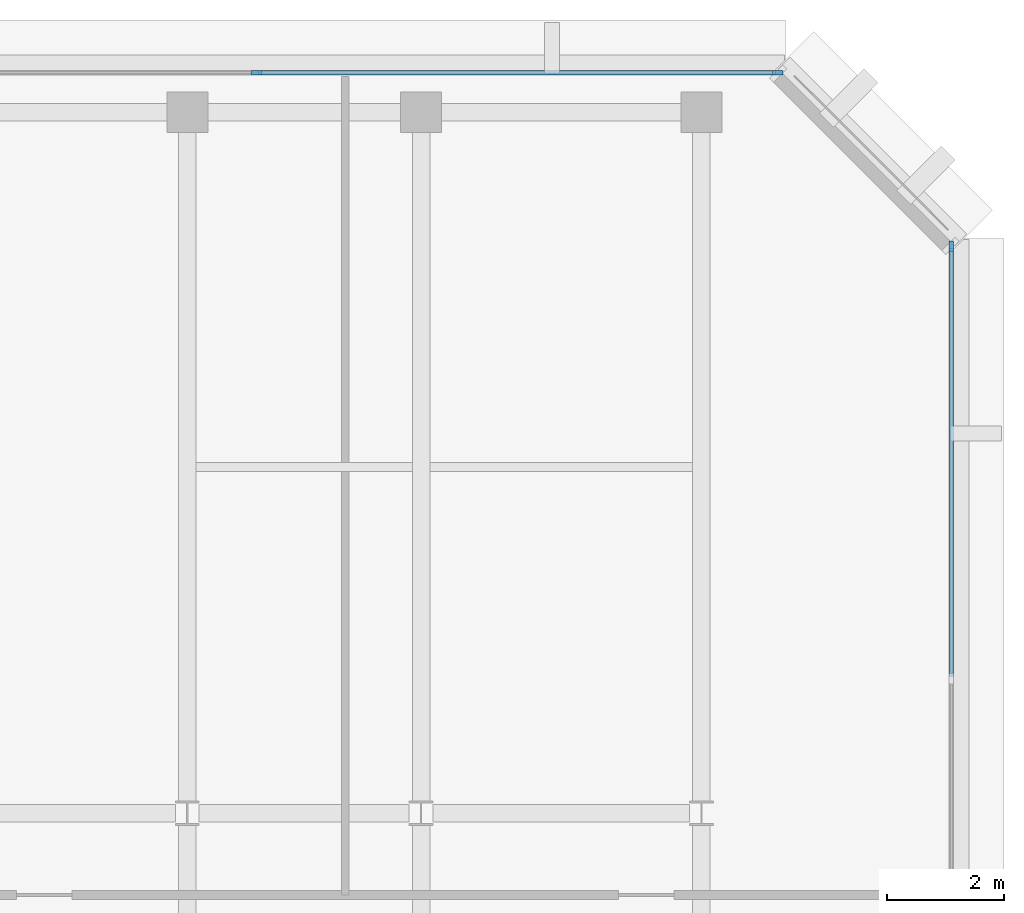
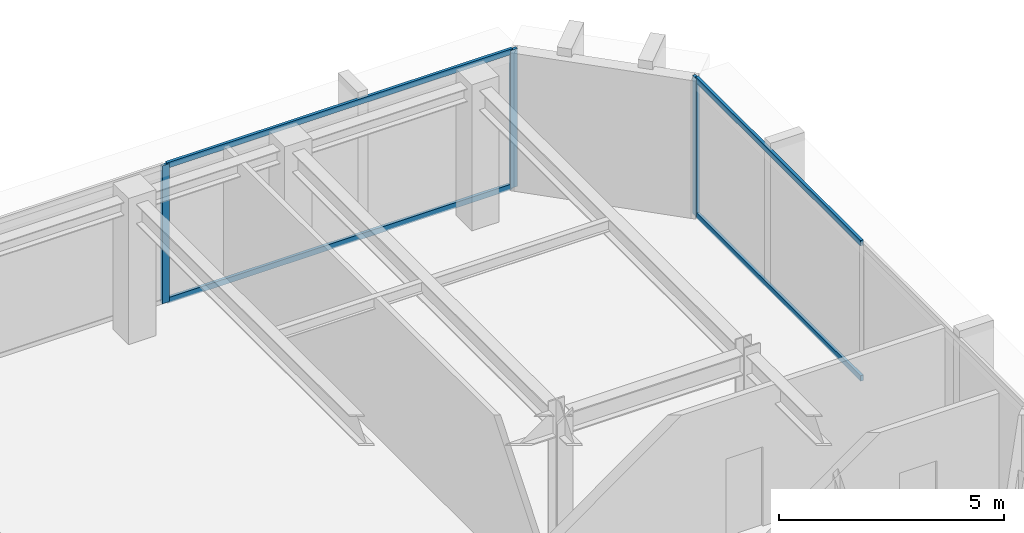
# One storey, part 5 of 12: 7 members, 2 elements without a shape of their own.
"""IFC4 building model written with IfcOpenShell, lengths in metres."""

import ifcopenshell
import ifcopenshell.guid

model = None  # the IFC model being written
_history = None  # IfcOwnerHistory: only IFC2X3 demands one
_inside = {}  # id of a spatial element -> (the spatial element, [elements in it])
_under = {}  # id of a project, library or spatial element -> (it, [spatial elements below it])
_declared = {}  # id of a project -> (the project, [libraries it declares])
_typed = {}  # id of a type object -> (the type object, [elements of that type])
_made_of = {}  # id of a material, layer set ... -> (it, [elements and type objects made of it])


def new_model(schema):
    """Start an empty IFC model of exactly this schema.

    Asked for "IFC4X3", IfcOpenShell would pick the latest addendum, in which some entities
    have other attributes; the version numbers below select the first issue.
    IFC2X3 requires an IfcOwnerHistory on every rooted entity: one is made here for all.
    """
    global model, _history
    if schema == "IFC4X3":
        model = ifcopenshell.file(schema_version=(4, 3, 0, 0))
    else:
        model = ifcopenshell.file(schema=schema)
    _inside.clear()
    _under.clear()
    _declared.clear()
    _typed.clear()
    _made_of.clear()
    _history = None
    if model.schema == "IFC2X3":
        org = make("IfcOrganization", Name="unknown")
        user = make(
            "IfcPersonAndOrganization",
            ThePerson=make("IfcPerson", FamilyName="unknown"),
            TheOrganization=org,
        )
        app = make(
            "IfcApplication",
            ApplicationDeveloper=org,
            Version="unknown",
            ApplicationFullName="unknown",
            ApplicationIdentifier="unknown",
        )
        _history = make(
            "IfcOwnerHistory",
            OwningUser=user,
            OwningApplication=app,
            ChangeAction="ADDED",
            CreationDate=0,
        )
    return model


def make(cls, **values):
    """One entity of the class cls with the attributes given. An attribute that is None is left unset."""
    return model.create_entity(
        cls, **{name: value for name, value in values.items() if value is not None}
    )


def rooted(cls, **values):
    """An entity with a GlobalId (a new one), such as an element, a storey or a relation."""
    return make(cls, GlobalId=ifcopenshell.guid.new(), OwnerHistory=_history, **values)


def si_unit(unit_type, name, prefix=None):
    """IfcSIUnit, for example si_unit("LENGTHUNIT", "METRE", prefix="MILLI")."""
    return make("IfcSIUnit", UnitType=unit_type, Prefix=prefix, Name=name)


def assignment(units):
    """IfcUnitAssignment: the units of a project."""
    return None if units is None else make("IfcUnitAssignment", Units=units)


def point(xyz):
    """IfcCartesianPoint."""
    return None if xyz is None else make("IfcCartesianPoint", Coordinates=xyz)


def direction(xyz):
    """IfcDirection."""
    return None if xyz is None else make("IfcDirection", DirectionRatios=xyz)


def frame(location, z_axis=None, x_axis=None):
    """IfcAxis2Placement3D, a coordinate frame: its origin and axes. An axis left out is left unset."""
    return make(
        "IfcAxis2Placement3D",
        Location=point(location),
        Axis=direction(z_axis),
        RefDirection=direction(x_axis),
    )


def frame_2d(location, x_axis=None):
    """IfcAxis2Placement2D, a coordinate frame in the plane: its origin and x axis."""
    return make(
        "IfcAxis2Placement2D", Location=point(location), RefDirection=direction(x_axis)
    )


def origin():
    """The frame at (0, 0, 0) with its axes left unset."""
    return frame((0.0, 0.0, 0.0))


def origin_2d():
    """The frame at (0, 0) in the plane with its x axis left unset."""
    return frame_2d((0.0, 0.0))


def place(relative_to, where):
    """IfcLocalPlacement: puts the frame where relative to a parent placement (None: the world)."""
    return make(
        "IfcLocalPlacement", PlacementRelTo=relative_to, RelativePlacement=where
    )


def context(
    kind, dimensions, precision=None, world=None, true_north=None, identifier=None
):
    """IfcGeometricRepresentationContext, for example the 3D "Model" context."""
    return make(
        "IfcGeometricRepresentationContext",
        ContextIdentifier=identifier,
        ContextType=kind,
        CoordinateSpaceDimension=dimensions,
        Precision=precision,
        WorldCoordinateSystem=world,
        TrueNorth=true_north,
    )


def subcontext(parent, identifier, kind, view, scale=None):
    """IfcGeometricRepresentationSubContext, for example "Body" below "Model"."""
    return make(
        "IfcGeometricRepresentationSubContext",
        ContextIdentifier=identifier,
        ContextType=kind,
        ParentContext=parent,
        TargetScale=scale,
        TargetView=view,
    )


def project(units=None, contexts=None):
    """IfcProject with its units and contexts."""
    return rooted(
        "IfcProject",
        Name="project",
        RepresentationContexts=contexts,
        UnitsInContext=assignment(units),
    )


def spatial(cls, under=None, at=None, **own):
    """A site, building, storey or space (cls), placed at a placement, below another one or the project."""
    s = rooted(cls, ObjectPlacement=at, **own)
    if under is not None:
        _under.setdefault(under.id(), (under, []))[1].append(s)
    return s


def profile(cls, at=None, kind="AREA", **sizes):
    """A parametric profile (cls). Its sizes go by their IFC names, for example OverallWidth=200.0."""
    return make(cls, ProfileType=kind, Position=at, **sizes)


def rectangle(**sizes):
    """IfcRectangleProfileDef."""
    return profile("IfcRectangleProfileDef", **sizes)


def extrude(swept, where, along, depth):
    """IfcExtrudedAreaSolid: the profile swept, set in the frame where, extruded along a direction by depth."""
    return make(
        "IfcExtrudedAreaSolid",
        SweptArea=swept,
        Position=where,
        ExtrudedDirection=direction(along),
        Depth=depth,
    )


def shape(context_of_items, identifier, shape_type, items):
    """IfcShapeRepresentation: the items that make up one representation, for example the "Body"."""
    return make(
        "IfcShapeRepresentation",
        ContextOfItems=context_of_items,
        RepresentationIdentifier=identifier,
        RepresentationType=shape_type,
        Items=items,
    )


def material(Name=None, Category=None):
    """IfcMaterial."""
    return make("IfcMaterial", Name=Name, Category=Category)


def layer(
    of_material, thickness, ventilated=None, Name=None, Category=None, Priority=None
):
    """IfcMaterialLayer: one layer of a wall or slab, of a material (None: an air gap)."""
    return make(
        "IfcMaterialLayer",
        Material=of_material,
        LayerThickness=thickness,
        IsVentilated=ventilated,
        Name=Name,
        Category=Category,
        Priority=Priority,
    )


def layer_set(layers, Name=None):
    """IfcMaterialLayerSet."""
    return make("IfcMaterialLayerSet", MaterialLayers=layers, LayerSetName=Name)


def material_profile(
    of_material, cross_section, Name=None, Category=None, Priority=None
):
    """IfcMaterialProfile: a cross section and its material."""
    return make(
        "IfcMaterialProfile",
        Name=Name,
        Material=of_material,
        Profile=cross_section,
        Priority=Priority,
        Category=Category,
    )


def profile_set(profiles, Name=None, composite=None):
    """IfcMaterialProfileSet."""
    return make(
        "IfcMaterialProfileSet",
        Name=Name,
        MaterialProfiles=profiles,
        CompositeProfile=composite,
    )


def made_of(thing, what):
    """Note that an element or type object is made of a material, layer set ...; save() writes the relation."""
    if what is not None:
        _made_of.setdefault(what.id(), (what, []))[1].append(thing)
    return thing


def type_object(cls, material=None, **own):
    """A type object (cls), such as IfcWallType, which elements share."""
    return made_of(rooted(cls, **own), material)


def element(
    cls,
    number,
    at=None,
    inside=None,
    cuts=None,
    type_object=None,
    material=None,
    context=None,
    identifier="Body",
    shape_type=None,
    held_by="IfcProductDefinitionShape",
    body=None,
    shapes=None,
    **own,
):
    """One element of the class cls, such as IfcWall. Its Tag is "e" and its number.

    at: its placement. inside: the storey or other place that contains it. cuts: it is an
    opening in that element (IfcRelVoidsElement). A single representation is given by context,
    identifier, shape_type and body (its items); several are given by shapes. held_by: the class
    of the entity that holds the representations. save() writes the other relations.
    """
    e = rooted(cls, Tag="e%d" % number, ObjectPlacement=at, **own)
    if body is not None:
        shapes = [shape(context, identifier, shape_type, body)]
    if shapes is not None:
        e.Representation = make(held_by, Representations=shapes)
    if inside is not None:
        _inside.setdefault(inside.id(), (inside, []))[1].append(e)
    if cuts is not None:
        rooted(
            "IfcRelVoidsElement", RelatingBuildingElement=cuts, RelatedOpeningElement=e
        )
    if type_object is not None:
        _typed.setdefault(type_object.id(), (type_object, []))[1].append(e)
    return made_of(e, material)


def aggregate(whole, parts):
    """IfcRelAggregates: a whole, such as a stair, and the parts it consists of."""
    return rooted("IfcRelAggregates", RelatingObject=whole, RelatedObjects=parts)


def save(model, path):
    """Write the relations noted so far, then the file.

    IfcRelAggregates (storeys below a building ...), IfcRelContainedInSpatialStructure (elements
    in a storey), IfcRelDefinesByType, IfcRelAssociatesMaterial and IfcRelDeclares: one each for
    every whole, place, type object, material and project.
    """
    for whole, parts in _under.values():
        aggregate(whole, parts)
    for where, things in _inside.values():
        rooted(
            "IfcRelContainedInSpatialStructure",
            RelatedElements=things,
            RelatingStructure=where,
        )
    for kind, things in _typed.values():
        rooted("IfcRelDefinesByType", RelatedObjects=things, RelatingType=kind)
    for what, things in _made_of.values():
        rooted("IfcRelAssociatesMaterial", RelatedObjects=things, RelatingMaterial=what)
    for by, libraries in _declared.values():
        rooted("IfcRelDeclares", RelatingContext=by, RelatedDefinitions=libraries)
    model.write(path)


model = new_model("IFC4")

# Units and contexts
model_context = context("Model", 3, precision=1e-05, world=origin(), true_north=direction((0.0, 1.0)))
body_context = subcontext(model_context, "Body", "Model", "MODEL_VIEW")
ifc_project = project(units=[si_unit("LENGTHUNIT", "METRE"), si_unit("AREAUNIT", "SQUARE_METRE"), si_unit("VOLUMEUNIT", "CUBIC_METRE"), si_unit("PLANEANGLEUNIT", "RADIAN"), si_unit("MASSUNIT", "GRAM", prefix="KILO")], contexts=[model_context])

# Site, building, storey
site_placement = place(None, origin())
site = spatial("IfcSite", under=ifc_project, at=site_placement, CompositionType="ELEMENT")
building_placement = place(site_placement, origin())
building = spatial("IfcBuilding", under=site, at=building_placement, Name="Kefirva Bronze Tower", CompositionType="ELEMENT")
storey_placement = place(building_placement, frame((0.0, 0.0, 280.169921875)))
storey = spatial("IfcBuildingStorey", under=building, at=storey_placement, Name="L68", CompositionType="ELEMENT", Elevation=280.169921875)

# Curtain wall, member
ifc_material = material(Name="Bronze anodised aluminium", Category="aluminium")
ifc_layer = layer(ifc_material, 0.179931640625, Name="Bronze anodised aluminium")
ifc_layer_set = layer_set([ifc_layer], Name="Bronze anodised aluminium")
curtain_wall_type = type_object("IfcCurtainWallType", Name="Unitised Bronze Ribbon Curtain Wall Zone 4", PredefinedType="USERDEFINED", material=ifc_layer_set)
curtain_wall_1_placement = place(storey_placement, origin())
curtain_wall_1 = element("IfcCurtainWall", 1, at=curtain_wall_1_placement, inside=storey, type_object=curtain_wall_type, Name="L68 Curtain Wall 2", ObjectType="UNITISED CURTAIN WALL", PredefinedType="USERDEFINED")
ifc_material_profile_1 = material_profile(ifc_material, rectangle(XDim=0.074951171875, YDim=0.179931640625, at=origin_2d()), Name="ALU 75x180")
ifc_profile_set_1 = profile_set([ifc_material_profile_1], Name="Bronze anodised aluminium")
member_type_1 = type_object("IfcMemberType", Name="Bronze Mullion 75x180", PredefinedType="MULLION", material=ifc_profile_set_1)
member_1_placement = place(storey_placement, frame((44.280029296875, 42.907470703125, 0.0), z_axis=(0.0, 0.0, 1.0), x_axis=(-1.0, 0.0, 0.0)))
member_1 = element("IfcMember", 2, at=member_1_placement, type_object=member_type_1, Name="CW-04 mullion 3", PredefinedType="MULLION", context=body_context, shape_type="SweptSolid", body=[
    extrude(rectangle(XDim=0.074951171875, YDim=0.179931640625, at=origin_2d()), origin(), (0.0, 0.0, 1.0), 3.739990234375),
])

# Curtain wall, members
curtain_wall_2_placement = place(storey_placement, origin())
curtain_wall_2 = element("IfcCurtainWall", 3, at=curtain_wall_2_placement, inside=storey, type_object=curtain_wall_type, Name="L68 Curtain Wall 3", ObjectType="UNITISED CURTAIN WALL", PredefinedType="USERDEFINED")
member_2_placement = place(storey_placement, frame((41.3076171875, 45.8798828125, 0.0), z_axis=(0.0, 0.0, 1.0), x_axis=(0.0, -1.0, 0.0)))
member_2 = element("IfcMember", 4, at=member_2_placement, type_object=member_type_1, Name="CW-04 mullion 1", PredefinedType="MULLION", context=body_context, shape_type="SweptSolid", body=[
    extrude(rectangle(XDim=0.074951171875, YDim=0.179931640625, at=origin_2d()), origin(), (0.0, 0.0, 1.0), 3.739990234375),
])
member_3_placement = place(storey_placement, frame((32.375, 45.8798828125, 0.0), z_axis=(0.0, 0.0, 1.0), x_axis=(0.0, -1.0, 0.0)))
member_3 = element("IfcMember", 5, at=member_3_placement, type_object=member_type_1, Name="CW-04 mullion 2", PredefinedType="MULLION", context=body_context, shape_type="SweptSolid", body=[
    extrude(rectangle(XDim=0.074951171875, YDim=0.179931640625, at=origin_2d()), origin(), (0.0, 0.0, 1.0), 3.739990234375),
])

# Member
ifc_material_profile_2 = material_profile(ifc_material, rectangle(XDim=0.074951171875, YDim=0.14990234375, at=origin_2d()), Name="ALU 75x150")
ifc_profile_set_2 = profile_set([ifc_material_profile_2], Name="Bronze anodised aluminium")
member_type_2 = type_object("IfcMemberType", Name="Bronze Transom 75x150", PredefinedType="USERDEFINED", material=ifc_profile_set_2)
member_4_placement = place(storey_placement, frame((44.280029296875, 35.53759765625, 0.03759765625), z_axis=(0.0, 1.0, 0.0), x_axis=(-1.0, 0.0, 0.0)))
member_4 = element("IfcMember", 6, at=member_4_placement, type_object=member_type_2, Name="CW-04 transom 2.1", ObjectType="TRANSOM", PredefinedType="USERDEFINED", context=body_context, shape_type="SweptSolid", body=[
    extrude(rectangle(XDim=0.074951171875, YDim=0.14990234375, at=origin_2d()), origin(), (0.0, 0.0, 1.0), 7.33251953125),
])

member_5_placement = place(storey_placement, frame((44.280029296875, 35.53759765625, 3.70263671875), z_axis=(0.0, 1.0, 0.0), x_axis=(-1.0, 0.0, 0.0)))
member_5 = element("IfcMember", 7, at=member_5_placement, type_object=member_type_2, Name="CW-04 transom 2.2", ObjectType="TRANSOM", PredefinedType="USERDEFINED", context=body_context, shape_type="SweptSolid", body=[
    extrude(rectangle(XDim=0.074951171875, YDim=0.14990234375, at=origin_2d()), origin(), (0.0, 0.0, 1.0), 7.33251953125),
])

aggregate(curtain_wall_1, [member_1, member_4, member_5])

member_6_placement = place(storey_placement, frame((41.27001953125, 45.8798828125, 0.03759765625), z_axis=(-1.0, 0.0, 0.0), x_axis=(0.0, -1.0, 0.0)))
member_6 = element("IfcMember", 8, at=member_6_placement, type_object=member_type_2, Name="CW-04 transom 1.1", ObjectType="TRANSOM", PredefinedType="USERDEFINED", context=body_context, shape_type="SweptSolid", body=[
    extrude(rectangle(XDim=0.074951171875, YDim=0.14990234375, at=origin_2d()), origin(), (0.0, 0.0, 1.0), 8.857421875),
])

member_7_placement = place(storey_placement, frame((41.27001953125, 45.8798828125, 3.70263671875), z_axis=(-1.0, 0.0, 0.0), x_axis=(0.0, -1.0, 0.0)))
member_7 = element("IfcMember", 9, at=member_7_placement, type_object=member_type_2, Name="CW-04 transom 1.2", ObjectType="TRANSOM", PredefinedType="USERDEFINED", context=body_context, shape_type="SweptSolid", body=[
    extrude(rectangle(XDim=0.074951171875, YDim=0.14990234375, at=origin_2d()), origin(), (0.0, 0.0, 1.0), 8.857421875),
])

aggregate(curtain_wall_2, [member_2, member_3, member_6, member_7])

save(model, "model.ifc")
